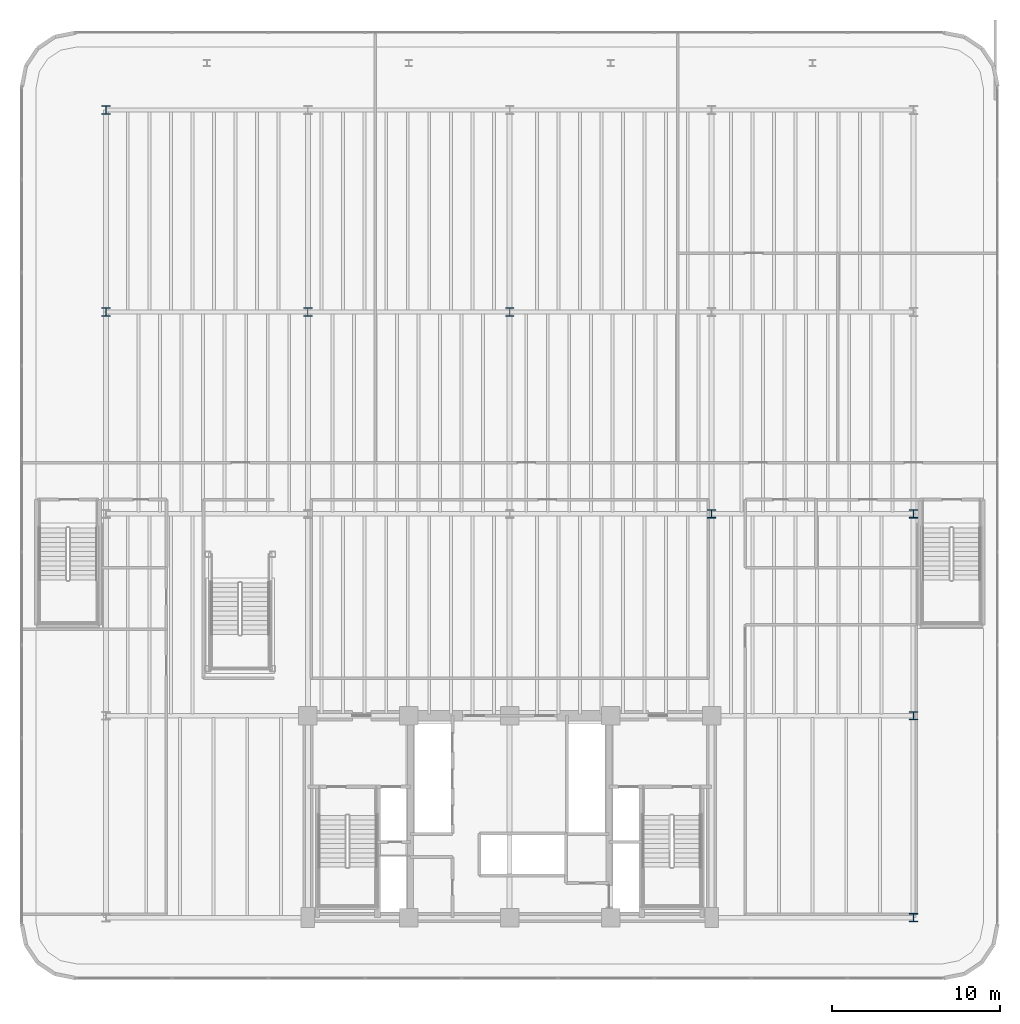
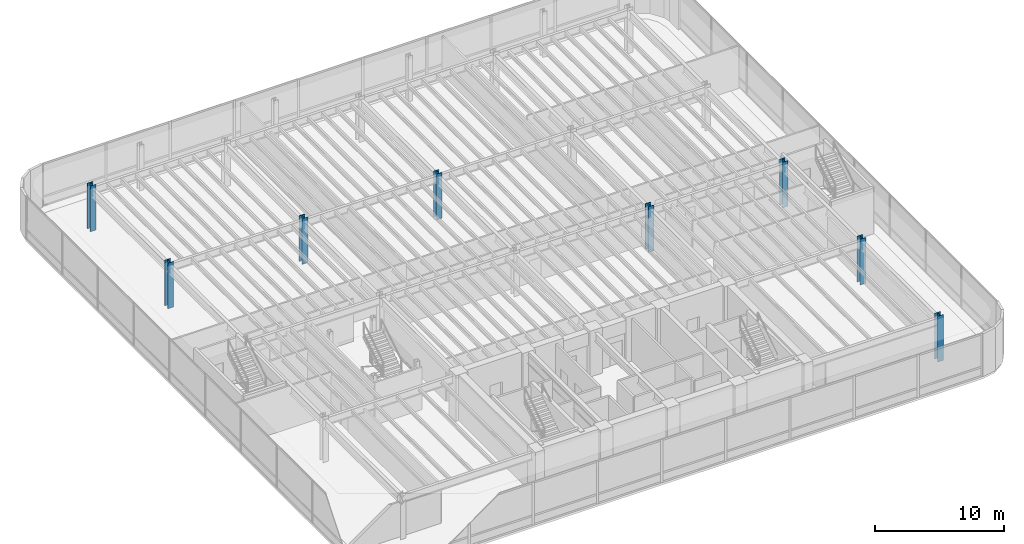
# One storey, part 2 of 19: 8 columns.
"""IFC4 building model written with IfcOpenShell, lengths in metres."""

from ifc_helpers import new_model, si_unit, direction, frame, origin, origin_2d, place, context, subcontext, project, spatial, i_section, extrude, source, transform, mapped, material, material_profile, profile_set, type_object, element, save


model = new_model("IFC4")

# Units and contexts
model_context = context("Model", 3, precision=1e-05, world=origin(), true_north=direction((0.0, 1.0)))
body_context = subcontext(model_context, "Body", "Model", "MODEL_VIEW")
ifc_project = project(units=[si_unit("LENGTHUNIT", "METRE"), si_unit("AREAUNIT", "SQUARE_METRE"), si_unit("VOLUMEUNIT", "CUBIC_METRE"), si_unit("PLANEANGLEUNIT", "RADIAN"), si_unit("MASSUNIT", "GRAM", prefix="KILO")], contexts=[model_context])

# Site, building, storey
site_placement = place(None, origin())
site = spatial("IfcSite", under=ifc_project, at=site_placement, CompositionType="ELEMENT")
building_placement = place(site_placement, origin())
building = spatial("IfcBuilding", under=site, at=building_placement, Name="Brelvock Crest Care Tower", CompositionType="ELEMENT")
storey_placement = place(building_placement, frame((0.0, 0.0, 14.0400390625)))
storey = spatial("IfcBuildingStorey", under=building, at=storey_placement, Name="L03", CompositionType="ELEMENT", Elevation=14.0400390625)

# Columns
ifc_material = material(Name="Steel Grade 350", Category="steel")
ifc_material_profile = material_profile(ifc_material, i_section(OverallWidth=0.5, OverallDepth=0.5, WebThickness=0.02197265625, FlangeThickness=0.034912109375, at=origin_2d()), Name="500WC340")
ifc_profile_set = profile_set([ifc_material_profile], Name="Steel Grade 350")
column_type = type_object("IfcColumnType", Name="COL-PC2", PredefinedType="COLUMN", material=ifc_profile_set)
shared_shape = source(origin(), body_context, "Body", "SweptSolid", [
    extrude(i_section(OverallWidth=0.5, OverallDepth=0.5, WebThickness=0.02197265625, FlangeThickness=0.034912109375, at=origin_2d()), origin(), (0.0, 0.0, 1.0), 4.320068359375),
])
for number, where, z_axis, x_axis, name in (
    (1, (60.0, 6.0, 0.0), (0.0, 0.0, 1.0), (1.0, 0.0, 0.0), "L03 Podium Column PC-02"),
    (2, (60.0, 18.0, 0.0), (0.0, 0.0, 1.0), (1.0, 0.0, 0.0), "L03 Podium Column PC-04"),
    (3, (48.0, 30.0, 0.0), (0.0, 0.0, 1.0), (1.0, 0.0, 0.0), "L03 Podium Column PC-08"),
    (4, (60.0, 30.0, 0.0), (0.0, 0.0, 1.0), (1.0, 0.0, 0.0), "L03 Podium Column PC-09"),
    (5, (12.0, 42.0, 0.0), (0.0, 0.0, 1.0), (1.0, 0.0, 0.0), "L03 Podium Column PC-10"),
    (6, (24.0, 42.0, 0.0), (0.0, 0.0, 1.0), (1.0, 0.0, 0.0), "L03 Podium Column PC-11"),
    (7, (36.0, 42.0, 0.0), (0.0, 0.0, 1.0), (1.0, 0.0, 0.0), "L03 Podium Column PC-12"),
    (8, (12.0, 54.0, 0.0), (0.0, 0.0, 1.0), (1.0, 0.0, 0.0), "L03 Podium Column PC-15"),
):
    element("IfcColumn", number, at=place(storey_placement, frame(where, z_axis=z_axis, x_axis=x_axis)), inside=storey, type_object=column_type, Name=name, PredefinedType="COLUMN", context=body_context, shape_type="MappedRepresentation", body=[
        mapped(shared_shape, transform((0.0, 0.0, 0.0), x_axis=(1.0, 0.0, 0.0), y_axis=(0.0, 1.0, 0.0), z_axis=(0.0, 0.0, 1.0), scale=1.0)),
    ])

save(model, "model.ifc")
